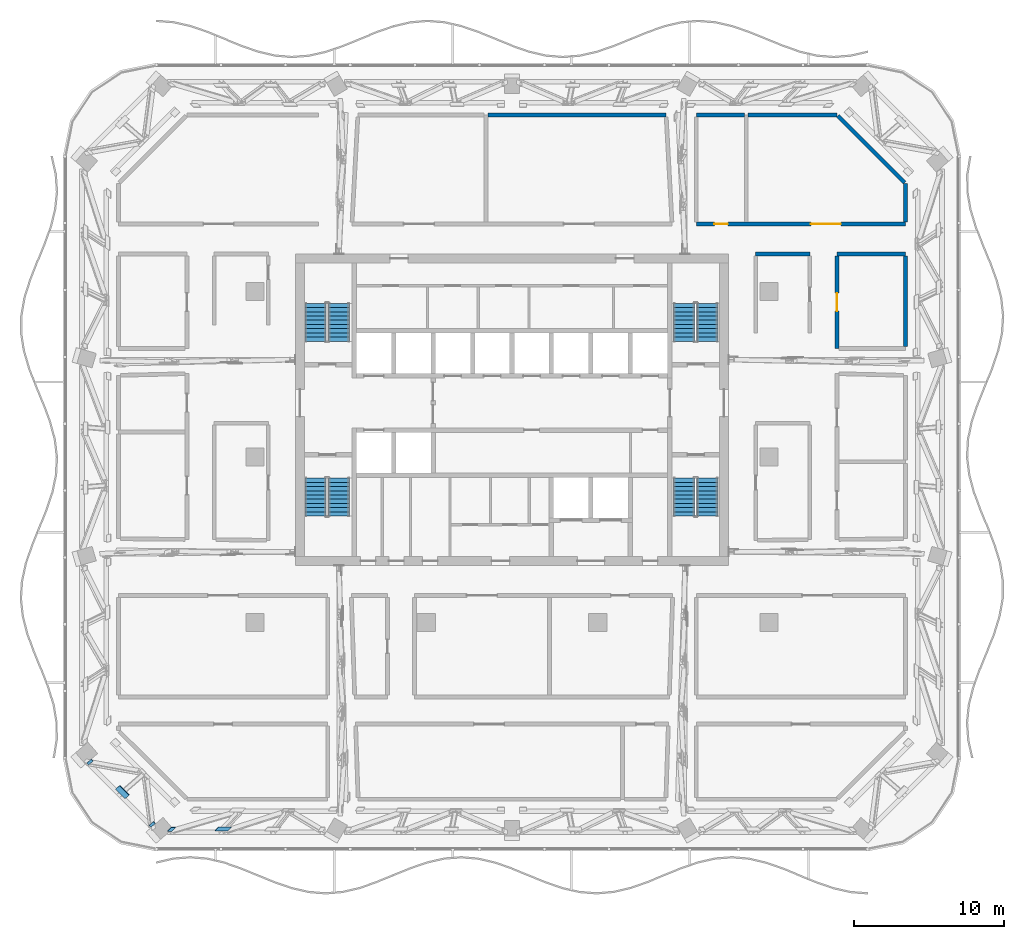
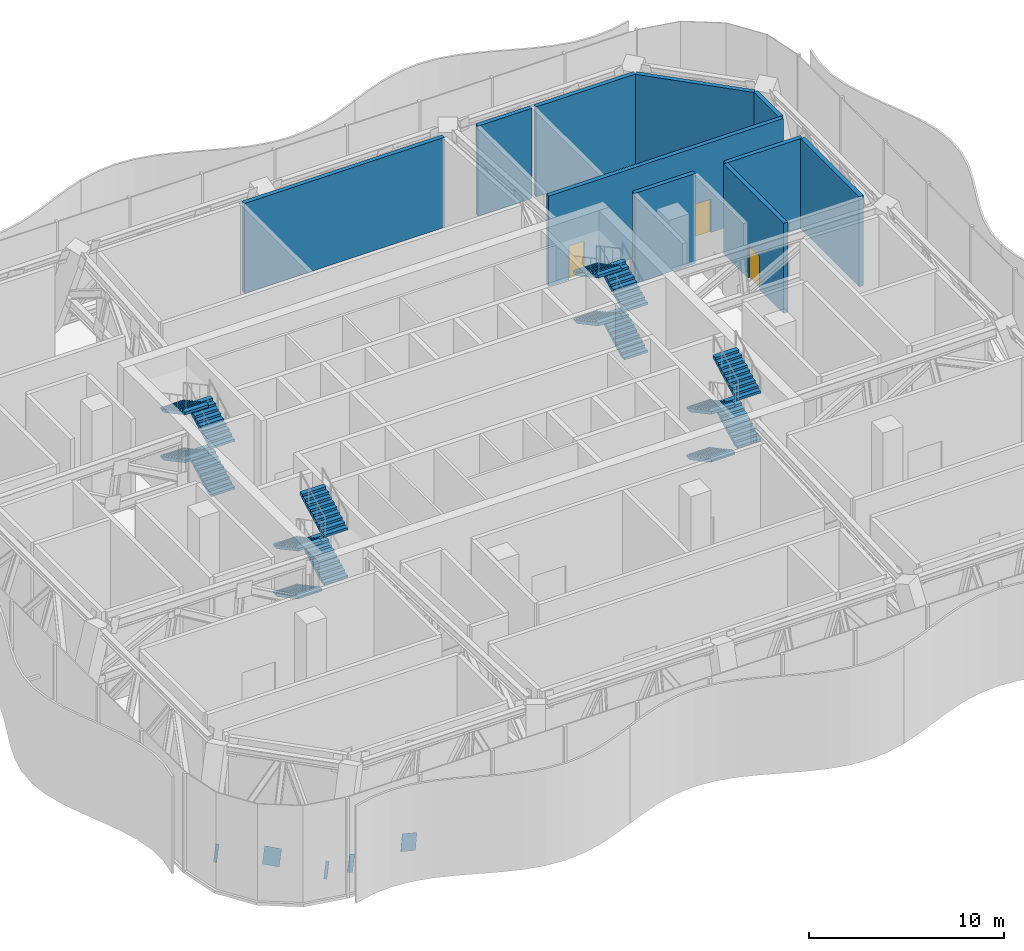
# One storey, part 14 of 29: 16 stair flights, 10 walls, 5 discrete accessories, 3 doors, 3 openings, 4 elements without a shape of their own.
"""IFC4 building model written with IfcOpenShell, lengths in metres."""

from ifc_helpers import new_model, si_unit, direction, frame, frame_2d, origin, origin_2d, place, context, subcontext, project, spatial, polyline, rectangle, outline, extrude, material, layer, layer_set, type_object, element, fill, aggregate, save


model = new_model("IFC4")

# Units and contexts
model_context = context("Model", 3, precision=1e-05, world=origin(), true_north=direction((0.0, 1.0)))
body_context = subcontext(model_context, "Body", "Model", "MODEL_VIEW")
ifc_project = project(units=[si_unit("LENGTHUNIT", "METRE"), si_unit("AREAUNIT", "SQUARE_METRE"), si_unit("VOLUMEUNIT", "CUBIC_METRE"), si_unit("PLANEANGLEUNIT", "RADIAN"), si_unit("MASSUNIT", "GRAM", prefix="KILO")], contexts=[model_context])

# Site, building, storey
site_placement = place(None, origin())
site = spatial("IfcSite", under=ifc_project, at=site_placement, CompositionType="ELEMENT")
building_placement = place(site_placement, origin())
building = spatial("IfcBuilding", under=site, at=building_placement, Name="Mopane Tessera Tower", CompositionType="ELEMENT")
storey_placement = place(building_placement, frame((0.0, 0.0, 315.39990234375)))
storey = spatial("IfcBuildingStorey", under=building, at=storey_placement, Name="L69", CompositionType="ELEMENT", Elevation=315.39990234375)

# Walls
ifc_material_1 = material(Name="Plastered concrete blockwork C20/25", Category="masonry")
ifc_layer_1 = layer(ifc_material_1, 0.25)
ifc_layer_set_1 = layer_set([ifc_layer_1], Name="Plastered concrete blockwork C20/25")
wall_type = type_object("IfcWallType", Name="Plastered blockwork wall 250, rated EI 120", PredefinedType="PARTITIONING", material=ifc_layer_set_1)
wall_1_placement = place(storey_placement, frame((16.199951171875, 13.5, 0.0), z_axis=(0.0, 0.0, 1.0), x_axis=(1.0, 0.0, 0.0)))
element("IfcWall", 1, at=wall_1_placement, inside=storey, type_object=wall_type, Name="Partition L69:023", PredefinedType="PARTITIONING", context=body_context, shape_type="SweptSolid", body=[
    extrude(rectangle(XDim=3.60009765625, YDim=0.25, at=frame_2d((1.800048828125, 0.0))), origin(), (0.0, 0.0, 1.0), 5.650146484375),
])
wall_2_placement = place(storey_placement, frame((21.60009765625, 13.5, 0.0), z_axis=(0.0, 0.0, 1.0), x_axis=(1.0, 0.0, 0.0)))
element("IfcWall", 2, at=wall_2_placement, inside=storey, type_object=wall_type, Name="Partition L69:024", PredefinedType="PARTITIONING", context=body_context, shape_type="SweptSolid", body=[
    extrude(rectangle(XDim=4.559814453125, YDim=0.25, at=frame_2d((2.27978515625, 0.0))), origin(), (0.0, 0.0, 1.0), 5.650146484375),
])

# Wall, openings, doors
wall_3_placement = place(storey_placement, frame((12.25, 15.5, 0.0), z_axis=(0.0, 0.0, 1.0), x_axis=(1.0, 0.0, 0.0)))
wall_3 = element("IfcWall", 3, at=wall_3_placement, inside=storey, type_object=wall_type, Name="Partition L69:027", PredefinedType="PARTITIONING", context=body_context, shape_type="SweptSolid", body=[
    extrude(rectangle(XDim=13.909912109375, YDim=0.25, at=frame_2d((6.955078125, 0.0))), origin(), (0.0, 0.0, 1.0), 5.650146484375),
])
opening_1_placement = place(wall_3_placement, frame((7.612548828125, 0.0, 0.0)))
opening_1 = element("IfcOpeningElement", 4, at=opening_1_placement, cuts=wall_3, Name="Opening L69-20", PredefinedType="OPENING", context=body_context, shape_type="SweptSolid", body=[
    extrude(rectangle(XDim=2.0, YDim=2.10009765625, at=frame_2d((1.0, 1.050048828125))), frame((0.0, 0.136962890625, 0.0), z_axis=(0.0, -1.0, 0.0), x_axis=(1.0, 0.0, 0.0)), (0.0, 0.0, 1.0), 0.27392578125),
])
opening_2_placement = place(wall_3_placement, frame((1.20751953125, 0.0, 0.0)))
opening_2 = element("IfcOpeningElement", 5, at=opening_2_placement, cuts=wall_3, Name="Opening L69-22", PredefinedType="OPENING", context=body_context, shape_type="SweptSolid", body=[
    extrude(rectangle(XDim=0.89990234375, YDim=2.10009765625, at=frame_2d((0.449951171875, 1.050048828125))), frame((0.0, 0.136962890625, 0.0), z_axis=(0.0, -1.0, 0.0), x_axis=(1.0, 0.0, 0.0)), (0.0, 0.0, 1.0), 0.27392578125),
])
ifc_material_2 = material(Name="Timber veneered steel-framed fire door", Category="steel")
door_type_1 = type_object("IfcDoorType", Name="Fire door FD120 900 x 2100", OperationType="SINGLE_SWING_LEFT", PredefinedType="DOOR", material=ifc_material_2)
door_1_placement = place(opening_2_placement, origin())
door_1 = element("IfcDoor", 6, at=door_1_placement, inside=storey, type_object=door_type_1, Name="Door L69-22", ObjectType="D10B", OperationType="SINGLE_SWING_RIGHT", OverallHeight=2.10009765625, OverallWidth=0.89990234375, PredefinedType="DOOR", context=body_context, shape_type="SweptSolid", body=[
    extrude(rectangle(XDim=0.89990234375, YDim=2.10009765625, at=frame_2d((0.449951171875, 1.050048828125))), frame((0.0, 0.02490234375, 0.0), z_axis=(0.0, -1.0, 0.0), x_axis=(1.0, 0.0, 0.0)), (0.0, 0.0, 1.0), 0.050048828125),
])
fill(opening_2, door_1)
ifc_material_3 = material(Name="Timber veneered steel-framed fire door", Category="steel")
door_type_2 = type_object("IfcDoorType", Name="Fire door pair FD120 2000 x 2100", OperationType="DOUBLE_DOOR_SINGLE_SWING", PredefinedType="DOOR", material=ifc_material_3)
door_2_placement = place(opening_1_placement, origin())
door_2 = element("IfcDoor", 7, at=door_2_placement, inside=storey, type_object=door_type_2, Name="Door L69-20", ObjectType="D25B", OperationType="DOUBLE_DOOR_SINGLE_SWING", OverallHeight=2.10009765625, OverallWidth=2.0, PredefinedType="DOOR", context=body_context, shape_type="SweptSolid", body=[
    extrude(rectangle(XDim=2.0, YDim=2.10009765625, at=frame_2d((1.0, 1.050048828125))), frame((0.0, 0.02490234375, 0.0), z_axis=(0.0, -1.0, 0.0), x_axis=(1.0, 0.0, 0.0)), (0.0, 0.0, 1.0), 0.050048828125),
])
fill(opening_1, door_2)

# Walls
wall_4_placement = place(storey_placement, frame((-1.60498046875, 22.7451171875, 0.0), z_axis=(0.0, 0.0, 1.0), x_axis=(1.0, 0.0, 0.0)))
element("IfcWall", 8, at=wall_4_placement, inside=storey, type_object=wall_type, Name="Partition L69:030", PredefinedType="PARTITIONING", context=body_context, shape_type="SweptSolid", body=[
    extrude(rectangle(XDim=11.85009765625, YDim=0.25, at=frame_2d((5.925048828125, 0.0))), origin(), (0.0, 0.0, 1.0), 5.650146484375),
])
wall_5_placement = place(storey_placement, frame((12.25, 22.7451171875, 0.0), z_axis=(0.0, 0.0, 1.0), x_axis=(1.0, 0.0, 0.0)))
element("IfcWall", 9, at=wall_5_placement, inside=storey, type_object=wall_type, Name="Partition L69:031", PredefinedType="PARTITIONING", context=body_context, shape_type="SweptSolid", body=[
    extrude(rectangle(XDim=3.18994140625, YDim=0.25, at=frame_2d((1.594970703125, 0.0))), origin(), (0.0, 0.0, 1.0), 5.650146484375),
])
wall_6_placement = place(storey_placement, frame((15.68994140625, 22.7451171875, 0.0), z_axis=(0.0, 0.0, 1.0), x_axis=(1.0, 0.0, 0.0)))
element("IfcWall", 10, at=wall_6_placement, inside=storey, type_object=wall_type, Name="Partition L69:032", PredefinedType="PARTITIONING", context=body_context, shape_type="SweptSolid", body=[
    extrude(rectangle(XDim=5.905029296875, YDim=0.25, at=frame_2d((2.95263671875, 0.0))), origin(), (0.0, 0.0, 1.0), 5.650146484375),
])

# Wall, opening, door
wall_7_placement = place(storey_placement, frame((21.60009765625, 7.22998046875, 0.0), z_axis=(0.0, 0.0, 1.0), x_axis=(0.0, 1.0, 0.0)))
wall_7 = element("IfcWall", 11, at=wall_7_placement, inside=storey, type_object=wall_type, Name="Partition L69:061", PredefinedType="PARTITIONING", context=body_context, shape_type="SweptSolid", body=[
    extrude(rectangle(XDim=6.14501953125, YDim=0.25, at=frame_2d((3.072509765625, 0.0))), origin(), (0.0, 0.0, 1.0), 5.650146484375),
])
opening_3_placement = place(wall_7_placement, frame((2.472412109375, 0.0, 0.0)))
opening_3 = element("IfcOpeningElement", 12, at=opening_3_placement, cuts=wall_7, Name="Opening L69-07", PredefinedType="OPENING", context=body_context, shape_type="SweptSolid", body=[
    extrude(rectangle(XDim=1.199951171875, YDim=2.10009765625, at=frame_2d((0.60009765625, 1.050048828125))), frame((0.0, 0.136962890625, 0.0), z_axis=(0.0, -1.0, 0.0), x_axis=(1.0, 0.0, 0.0)), (0.0, 0.0, 1.0), 0.27392578125),
])
ifc_material_4 = material(Name="Timber veneered steel-framed fire door", Category="steel")
door_type_3 = type_object("IfcDoorType", Name="Fire door FD120 1200 x 2100", OperationType="SINGLE_SWING_LEFT", PredefinedType="DOOR", material=ifc_material_4)
door_3_placement = place(opening_3_placement, origin())
door_3 = element("IfcDoor", 13, at=door_3_placement, inside=storey, type_object=door_type_3, Name="Door L69-07", ObjectType="D15B", OperationType="SINGLE_SWING_RIGHT", OverallHeight=2.10009765625, OverallWidth=1.199951171875, PredefinedType="DOOR", context=body_context, shape_type="SweptSolid", body=[
    extrude(rectangle(XDim=1.199951171875, YDim=2.10009765625, at=frame_2d((0.60009765625, 1.050048828125))), frame((0.0, 0.02490234375, 0.0), z_axis=(0.0, -1.0, 0.0), x_axis=(1.0, 0.0, 0.0)), (0.0, 0.0, 1.0), 0.050048828125),
])
fill(opening_3, door_3)

# Walls
wall_8_placement = place(storey_placement, frame((26.159912109375, 7.35498046875, 0.0), z_axis=(0.0, 0.0, 1.0), x_axis=(0.0, 1.0, 0.0)))
element("IfcWall", 14, at=wall_8_placement, inside=storey, type_object=wall_type, Name="Partition L69:066", PredefinedType="PARTITIONING", context=body_context, shape_type="SweptSolid", body=[
    extrude(rectangle(XDim=6.02001953125, YDim=0.25, at=frame_2d((3.010009765625, 0.0))), origin(), (0.0, 0.0, 1.0), 5.650146484375),
])
wall_9_placement = place(storey_placement, frame((26.159912109375, 15.625, 0.0), z_axis=(0.0, 0.0, 1.0), x_axis=(0.0, 1.0, 0.0)))
element("IfcWall", 15, at=wall_9_placement, inside=storey, type_object=wall_type, Name="Partition L69:067", PredefinedType="PARTITIONING", context=body_context, shape_type="SweptSolid", body=[
    extrude(rectangle(XDim=2.56005859375, YDim=0.25, at=frame_2d((1.280029296875, 0.0))), origin(), (0.0, 0.0, 1.0), 5.650146484375),
])
wall_10_placement = place(storey_placement, frame((21.652099609375, 22.68798828125, 0.0), z_axis=(0.0, 0.0, 1.0), x_axis=(0.707494747071, -0.706718602321, 0.0)))
element("IfcWall", 16, at=wall_10_placement, inside=storey, type_object=wall_type, Name="Partition L69:082", PredefinedType="PARTITIONING", context=body_context, shape_type="SweptSolid", body=[
    extrude(rectangle(XDim=6.291015625, YDim=0.25, at=frame_2d((3.1455078125, 0.0))), origin(), (0.0, 0.0, 1.0), 5.650146484375),
])

# Stair, stair flights
ifc_material_5 = material(Name="Concrete C50/60", Category="concrete")
stair_type = type_object("IfcStairType", Name="Escape stair 1400 mm, riser 150 mm", PredefinedType="HALF_TURN_STAIR", material=ifc_material_5)
stair_1_placement = place(storey_placement, origin())
stair_1 = element("IfcStair", 17, at=stair_1_placement, inside=storey, type_object=stair_type, Name="L69 Escape stair south-west", PredefinedType="HALF_TURN_STAIR")
ifc_material_6 = material(Name="Concrete C50/60", Category="concrete")
stair_flight_type = type_object("IfcStairFlightType", Name="Escape stair flight 1400 mm", PredefinedType="STRAIGHT", material=ifc_material_6)
stair_flight_1_placement = place(storey_placement, frame((-13.050048828125, -1.39990234375, 0.0), z_axis=(0.0, 0.0, 1.0), x_axis=(0.0, -1.0, 0.0)))
stair_flight_1 = element("IfcStairFlight", 18, at=stair_flight_1_placement, type_object=stair_flight_type, Name="ST1 flight 1", NumberOfRisers=10, NumberOfTreads=9, PredefinedType="STRAIGHT", RiserHeight=0.15, TreadLength=0.28, context=body_context, shape_type="SweptSolid", body=[
    extrude(outline(polyline([(0.0, 0.0), (0.0, 0.14990234375), (0.280029296875, 0.14990234375), (0.280029296875, 0.300048828125), (0.56005859375, 0.300048828125), (0.56005859375, 0.449951171875), (0.840087890625, 0.449951171875), (0.840087890625, 0.60009765625), (1.1201171875, 0.60009765625), (1.1201171875, 0.75), (1.39990234375, 0.75), (1.39990234375, 0.89990234375), (1.679931640625, 0.89990234375), (1.679931640625, 1.050048828125), (1.9599609375, 1.050048828125), (1.9599609375, 1.199951171875), (2.239990234375, 1.199951171875), (2.239990234375, 1.35009765625), (2.52001953125, 1.35009765625), (2.52001953125, 1.5), (2.52001953125, 1.179931640625), (0.3173828125, 0.0), (0.0, 0.0)])), frame((0.0, 0.699951171875, 0.0), z_axis=(0.0, -1.0, 0.0), x_axis=(1.0, 0.0, 0.0)), (0.0, 0.0, 1.0), 1.39990234375),
])
stair_flight_2_placement = place(storey_placement, frame((-11.5, -3.919921875, 1.5), z_axis=(0.0, 0.0, 1.0), x_axis=(0.0, 1.0, 0.0)))
stair_flight_2 = element("IfcStairFlight", 19, at=stair_flight_2_placement, type_object=stair_flight_type, Name="ST1 flight 2", NumberOfRisers=10, NumberOfTreads=9, PredefinedType="STRAIGHT", RiserHeight=0.15, TreadLength=0.28, context=body_context, shape_type="SweptSolid", body=[
    extrude(outline(polyline([(0.0, 0.0), (0.0, 0.14990234375), (0.280029296875, 0.14990234375), (0.280029296875, 0.300048828125), (0.56005859375, 0.300048828125), (0.56005859375, 0.449951171875), (0.840087890625, 0.449951171875), (0.840087890625, 0.60009765625), (1.1201171875, 0.60009765625), (1.1201171875, 0.75), (1.39990234375, 0.75), (1.39990234375, 0.89990234375), (1.679931640625, 0.89990234375), (1.679931640625, 1.050048828125), (1.9599609375, 1.050048828125), (1.9599609375, 1.199951171875), (2.239990234375, 1.199951171875), (2.239990234375, 1.35009765625), (2.52001953125, 1.35009765625), (2.52001953125, 1.5), (2.52001953125, 1.179931640625), (0.3173828125, 0.0), (0.0, 0.0)])), frame((0.0, 0.699951171875, 0.0), z_axis=(0.0, -1.0, 0.0), x_axis=(1.0, 0.0, 0.0)), (0.0, 0.0, 1.0), 1.39990234375),
])
stair_flight_3_placement = place(storey_placement, frame((-13.050048828125, -1.39990234375, 3.0), z_axis=(0.0, 0.0, 1.0), x_axis=(0.0, -1.0, 0.0)))
stair_flight_3 = element("IfcStairFlight", 20, at=stair_flight_3_placement, type_object=stair_flight_type, Name="ST1 flight 3", NumberOfRisers=10, NumberOfTreads=9, PredefinedType="STRAIGHT", RiserHeight=0.15, TreadLength=0.28, context=body_context, shape_type="SweptSolid", body=[
    extrude(outline(polyline([(0.0, 0.0), (0.0, 0.14990234375), (0.280029296875, 0.14990234375), (0.280029296875, 0.300048828125), (0.56005859375, 0.300048828125), (0.56005859375, 0.449951171875), (0.840087890625, 0.449951171875), (0.840087890625, 0.60009765625), (1.1201171875, 0.60009765625), (1.1201171875, 0.75), (1.39990234375, 0.75), (1.39990234375, 0.89990234375), (1.679931640625, 0.89990234375), (1.679931640625, 1.050048828125), (1.9599609375, 1.050048828125), (1.9599609375, 1.199951171875), (2.239990234375, 1.199951171875), (2.239990234375, 1.35009765625), (2.52001953125, 1.35009765625), (2.52001953125, 1.5), (2.52001953125, 1.179931640625), (0.3173828125, 0.0), (0.0, 0.0)])), frame((0.0, 0.699951171875, 0.0), z_axis=(0.0, -1.0, 0.0), x_axis=(1.0, 0.0, 0.0)), (0.0, 0.0, 1.0), 1.39990234375),
])
stair_flight_4_placement = place(storey_placement, frame((-11.5, -3.919921875, 4.5), z_axis=(0.0, 0.0, 1.0), x_axis=(0.0, 1.0, 0.0)))
stair_flight_4 = element("IfcStairFlight", 21, at=stair_flight_4_placement, type_object=stair_flight_type, Name="ST1 flight 4", NumberOfRisers=10, NumberOfTreads=9, PredefinedType="STRAIGHT", RiserHeight=0.15, TreadLength=0.28, context=body_context, shape_type="SweptSolid", body=[
    extrude(outline(polyline([(0.0, 0.0), (0.0, 0.14990234375), (0.280029296875, 0.14990234375), (0.280029296875, 0.300048828125), (0.56005859375, 0.300048828125), (0.56005859375, 0.449951171875), (0.840087890625, 0.449951171875), (0.840087890625, 0.60009765625), (1.1201171875, 0.60009765625), (1.1201171875, 0.75), (1.39990234375, 0.75), (1.39990234375, 0.89990234375), (1.679931640625, 0.89990234375), (1.679931640625, 1.050048828125), (1.9599609375, 1.050048828125), (1.9599609375, 1.199951171875), (2.239990234375, 1.199951171875), (2.239990234375, 1.35009765625), (2.52001953125, 1.35009765625), (2.52001953125, 1.5), (2.52001953125, 1.179931640625), (0.3173828125, 0.0), (0.0, 0.0)])), frame((0.0, 0.699951171875, 0.0), z_axis=(0.0, -1.0, 0.0), x_axis=(1.0, 0.0, 0.0)), (0.0, 0.0, 1.0), 1.39990234375),
])
aggregate(stair_1, [stair_flight_1, stair_flight_2, stair_flight_3, stair_flight_4])

stair_2_placement = place(storey_placement, origin())
stair_2 = element("IfcStair", 22, at=stair_2_placement, inside=storey, type_object=stair_type, Name="L69 Escape stair north-west", PredefinedType="HALF_TURN_STAIR")
stair_flight_5_placement = place(storey_placement, frame((-11.5, 7.699951171875, 0.0), z_axis=(0.0, 0.0, 1.0), x_axis=(0.0, 1.0, 0.0)))
stair_flight_5 = element("IfcStairFlight", 23, at=stair_flight_5_placement, type_object=stair_flight_type, Name="ST2 flight 1", NumberOfRisers=10, NumberOfTreads=9, PredefinedType="STRAIGHT", RiserHeight=0.15, TreadLength=0.28, context=body_context, shape_type="SweptSolid", body=[
    extrude(outline(polyline([(0.0, 0.0), (0.0, 0.14990234375), (0.280029296875, 0.14990234375), (0.280029296875, 0.300048828125), (0.56005859375, 0.300048828125), (0.56005859375, 0.449951171875), (0.840087890625, 0.449951171875), (0.840087890625, 0.60009765625), (1.1201171875, 0.60009765625), (1.1201171875, 0.75), (1.39990234375, 0.75), (1.39990234375, 0.89990234375), (1.679931640625, 0.89990234375), (1.679931640625, 1.050048828125), (1.9599609375, 1.050048828125), (1.9599609375, 1.199951171875), (2.239990234375, 1.199951171875), (2.239990234375, 1.35009765625), (2.52001953125, 1.35009765625), (2.52001953125, 1.5), (2.52001953125, 1.179931640625), (0.3173828125, 0.0), (0.0, 0.0)])), frame((0.0, 0.699951171875, 0.0), z_axis=(0.0, -1.0, 0.0), x_axis=(1.0, 0.0, 0.0)), (0.0, 0.0, 1.0), 1.39990234375),
])
stair_flight_6_placement = place(storey_placement, frame((-13.050048828125, 10.219970703125, 1.5), z_axis=(0.0, 0.0, 1.0), x_axis=(0.0, -1.0, 0.0)))
stair_flight_6 = element("IfcStairFlight", 24, at=stair_flight_6_placement, type_object=stair_flight_type, Name="ST2 flight 2", NumberOfRisers=10, NumberOfTreads=9, PredefinedType="STRAIGHT", RiserHeight=0.15, TreadLength=0.28, context=body_context, shape_type="SweptSolid", body=[
    extrude(outline(polyline([(0.0, 0.0), (0.0, 0.14990234375), (0.280029296875, 0.14990234375), (0.280029296875, 0.300048828125), (0.56005859375, 0.300048828125), (0.56005859375, 0.449951171875), (0.840087890625, 0.449951171875), (0.840087890625, 0.60009765625), (1.1201171875, 0.60009765625), (1.1201171875, 0.75), (1.39990234375, 0.75), (1.39990234375, 0.89990234375), (1.679931640625, 0.89990234375), (1.679931640625, 1.050048828125), (1.9599609375, 1.050048828125), (1.9599609375, 1.199951171875), (2.239990234375, 1.199951171875), (2.239990234375, 1.35009765625), (2.52001953125, 1.35009765625), (2.52001953125, 1.5), (2.52001953125, 1.179931640625), (0.3173828125, 0.0), (0.0, 0.0)])), frame((0.0, 0.699951171875, 0.0), z_axis=(0.0, -1.0, 0.0), x_axis=(1.0, 0.0, 0.0)), (0.0, 0.0, 1.0), 1.39990234375),
])
stair_flight_7_placement = place(storey_placement, frame((-11.5, 7.699951171875, 3.0), z_axis=(0.0, 0.0, 1.0), x_axis=(0.0, 1.0, 0.0)))
stair_flight_7 = element("IfcStairFlight", 25, at=stair_flight_7_placement, type_object=stair_flight_type, Name="ST2 flight 3", NumberOfRisers=10, NumberOfTreads=9, PredefinedType="STRAIGHT", RiserHeight=0.15, TreadLength=0.28, context=body_context, shape_type="SweptSolid", body=[
    extrude(outline(polyline([(0.0, 0.0), (0.0, 0.14990234375), (0.280029296875, 0.14990234375), (0.280029296875, 0.300048828125), (0.56005859375, 0.300048828125), (0.56005859375, 0.449951171875), (0.840087890625, 0.449951171875), (0.840087890625, 0.60009765625), (1.1201171875, 0.60009765625), (1.1201171875, 0.75), (1.39990234375, 0.75), (1.39990234375, 0.89990234375), (1.679931640625, 0.89990234375), (1.679931640625, 1.050048828125), (1.9599609375, 1.050048828125), (1.9599609375, 1.199951171875), (2.239990234375, 1.199951171875), (2.239990234375, 1.35009765625), (2.52001953125, 1.35009765625), (2.52001953125, 1.5), (2.52001953125, 1.179931640625), (0.3173828125, 0.0), (0.0, 0.0)])), frame((0.0, 0.699951171875, 0.0), z_axis=(0.0, -1.0, 0.0), x_axis=(1.0, 0.0, 0.0)), (0.0, 0.0, 1.0), 1.39990234375),
])
stair_flight_8_placement = place(storey_placement, frame((-13.050048828125, 10.219970703125, 4.5), z_axis=(0.0, 0.0, 1.0), x_axis=(0.0, -1.0, 0.0)))
stair_flight_8 = element("IfcStairFlight", 26, at=stair_flight_8_placement, type_object=stair_flight_type, Name="ST2 flight 4", NumberOfRisers=10, NumberOfTreads=9, PredefinedType="STRAIGHT", RiserHeight=0.15, TreadLength=0.28, context=body_context, shape_type="SweptSolid", body=[
    extrude(outline(polyline([(0.0, 0.0), (0.0, 0.14990234375), (0.280029296875, 0.14990234375), (0.280029296875, 0.300048828125), (0.56005859375, 0.300048828125), (0.56005859375, 0.449951171875), (0.840087890625, 0.449951171875), (0.840087890625, 0.60009765625), (1.1201171875, 0.60009765625), (1.1201171875, 0.75), (1.39990234375, 0.75), (1.39990234375, 0.89990234375), (1.679931640625, 0.89990234375), (1.679931640625, 1.050048828125), (1.9599609375, 1.050048828125), (1.9599609375, 1.199951171875), (2.239990234375, 1.199951171875), (2.239990234375, 1.35009765625), (2.52001953125, 1.35009765625), (2.52001953125, 1.5), (2.52001953125, 1.179931640625), (0.3173828125, 0.0), (0.0, 0.0)])), frame((0.0, 0.699951171875, 0.0), z_axis=(0.0, -1.0, 0.0), x_axis=(1.0, 0.0, 0.0)), (0.0, 0.0, 1.0), 1.39990234375),
])
aggregate(stair_2, [stair_flight_5, stair_flight_6, stair_flight_7, stair_flight_8])

stair_3_placement = place(storey_placement, origin())
stair_3 = element("IfcStair", 27, at=stair_3_placement, inside=storey, type_object=stair_type, Name="L69 Escape stair south-east", PredefinedType="HALF_TURN_STAIR")
stair_flight_9_placement = place(storey_placement, frame((11.449951171875, -1.39990234375, 0.0), z_axis=(0.0, 0.0, 1.0), x_axis=(0.0, -1.0, 0.0)))
stair_flight_9 = element("IfcStairFlight", 28, at=stair_flight_9_placement, type_object=stair_flight_type, Name="ST3 flight 1", NumberOfRisers=10, NumberOfTreads=9, PredefinedType="STRAIGHT", RiserHeight=0.15, TreadLength=0.28, context=body_context, shape_type="SweptSolid", body=[
    extrude(outline(polyline([(0.0, 0.0), (0.0, 0.14990234375), (0.280029296875, 0.14990234375), (0.280029296875, 0.300048828125), (0.56005859375, 0.300048828125), (0.56005859375, 0.449951171875), (0.840087890625, 0.449951171875), (0.840087890625, 0.60009765625), (1.1201171875, 0.60009765625), (1.1201171875, 0.75), (1.39990234375, 0.75), (1.39990234375, 0.89990234375), (1.679931640625, 0.89990234375), (1.679931640625, 1.050048828125), (1.9599609375, 1.050048828125), (1.9599609375, 1.199951171875), (2.239990234375, 1.199951171875), (2.239990234375, 1.35009765625), (2.52001953125, 1.35009765625), (2.52001953125, 1.5), (2.52001953125, 1.179931640625), (0.3173828125, 0.0), (0.0, 0.0)])), frame((0.0, 0.699951171875, 0.0), z_axis=(0.0, -1.0, 0.0), x_axis=(1.0, 0.0, 0.0)), (0.0, 0.0, 1.0), 1.39990234375),
])
stair_flight_10_placement = place(storey_placement, frame((13.0, -3.919921875, 1.5), z_axis=(0.0, 0.0, 1.0), x_axis=(0.0, 1.0, 0.0)))
stair_flight_10 = element("IfcStairFlight", 29, at=stair_flight_10_placement, type_object=stair_flight_type, Name="ST3 flight 2", NumberOfRisers=10, NumberOfTreads=9, PredefinedType="STRAIGHT", RiserHeight=0.15, TreadLength=0.28, context=body_context, shape_type="SweptSolid", body=[
    extrude(outline(polyline([(0.0, 0.0), (0.0, 0.14990234375), (0.280029296875, 0.14990234375), (0.280029296875, 0.300048828125), (0.56005859375, 0.300048828125), (0.56005859375, 0.449951171875), (0.840087890625, 0.449951171875), (0.840087890625, 0.60009765625), (1.1201171875, 0.60009765625), (1.1201171875, 0.75), (1.39990234375, 0.75), (1.39990234375, 0.89990234375), (1.679931640625, 0.89990234375), (1.679931640625, 1.050048828125), (1.9599609375, 1.050048828125), (1.9599609375, 1.199951171875), (2.239990234375, 1.199951171875), (2.239990234375, 1.35009765625), (2.52001953125, 1.35009765625), (2.52001953125, 1.5), (2.52001953125, 1.179931640625), (0.3173828125, 0.0), (0.0, 0.0)])), frame((0.0, 0.699951171875, 0.0), z_axis=(0.0, -1.0, 0.0), x_axis=(1.0, 0.0, 0.0)), (0.0, 0.0, 1.0), 1.39990234375),
])
stair_flight_11_placement = place(storey_placement, frame((11.449951171875, -1.39990234375, 3.0), z_axis=(0.0, 0.0, 1.0), x_axis=(0.0, -1.0, 0.0)))
stair_flight_11 = element("IfcStairFlight", 30, at=stair_flight_11_placement, type_object=stair_flight_type, Name="ST3 flight 3", NumberOfRisers=10, NumberOfTreads=9, PredefinedType="STRAIGHT", RiserHeight=0.15, TreadLength=0.28, context=body_context, shape_type="SweptSolid", body=[
    extrude(outline(polyline([(0.0, 0.0), (0.0, 0.14990234375), (0.280029296875, 0.14990234375), (0.280029296875, 0.300048828125), (0.56005859375, 0.300048828125), (0.56005859375, 0.449951171875), (0.840087890625, 0.449951171875), (0.840087890625, 0.60009765625), (1.1201171875, 0.60009765625), (1.1201171875, 0.75), (1.39990234375, 0.75), (1.39990234375, 0.89990234375), (1.679931640625, 0.89990234375), (1.679931640625, 1.050048828125), (1.9599609375, 1.050048828125), (1.9599609375, 1.199951171875), (2.239990234375, 1.199951171875), (2.239990234375, 1.35009765625), (2.52001953125, 1.35009765625), (2.52001953125, 1.5), (2.52001953125, 1.179931640625), (0.3173828125, 0.0), (0.0, 0.0)])), frame((0.0, 0.699951171875, 0.0), z_axis=(0.0, -1.0, 0.0), x_axis=(1.0, 0.0, 0.0)), (0.0, 0.0, 1.0), 1.39990234375),
])
stair_flight_12_placement = place(storey_placement, frame((13.0, -3.919921875, 4.5), z_axis=(0.0, 0.0, 1.0), x_axis=(0.0, 1.0, 0.0)))
stair_flight_12 = element("IfcStairFlight", 31, at=stair_flight_12_placement, type_object=stair_flight_type, Name="ST3 flight 4", NumberOfRisers=10, NumberOfTreads=9, PredefinedType="STRAIGHT", RiserHeight=0.15, TreadLength=0.28, context=body_context, shape_type="SweptSolid", body=[
    extrude(outline(polyline([(0.0, 0.0), (0.0, 0.14990234375), (0.280029296875, 0.14990234375), (0.280029296875, 0.300048828125), (0.56005859375, 0.300048828125), (0.56005859375, 0.449951171875), (0.840087890625, 0.449951171875), (0.840087890625, 0.60009765625), (1.1201171875, 0.60009765625), (1.1201171875, 0.75), (1.39990234375, 0.75), (1.39990234375, 0.89990234375), (1.679931640625, 0.89990234375), (1.679931640625, 1.050048828125), (1.9599609375, 1.050048828125), (1.9599609375, 1.199951171875), (2.239990234375, 1.199951171875), (2.239990234375, 1.35009765625), (2.52001953125, 1.35009765625), (2.52001953125, 1.5), (2.52001953125, 1.179931640625), (0.3173828125, 0.0), (0.0, 0.0)])), frame((0.0, 0.699951171875, 0.0), z_axis=(0.0, -1.0, 0.0), x_axis=(1.0, 0.0, 0.0)), (0.0, 0.0, 1.0), 1.39990234375),
])
aggregate(stair_3, [stair_flight_9, stair_flight_10, stair_flight_11, stair_flight_12])

stair_4_placement = place(storey_placement, origin())
stair_4 = element("IfcStair", 32, at=stair_4_placement, inside=storey, type_object=stair_type, Name="L69 Escape stair north-east", PredefinedType="HALF_TURN_STAIR")
stair_flight_13_placement = place(storey_placement, frame((13.0, 7.699951171875, 0.0), z_axis=(0.0, 0.0, 1.0), x_axis=(0.0, 1.0, 0.0)))
stair_flight_13 = element("IfcStairFlight", 33, at=stair_flight_13_placement, type_object=stair_flight_type, Name="ST4 flight 1", NumberOfRisers=10, NumberOfTreads=9, PredefinedType="STRAIGHT", RiserHeight=0.15, TreadLength=0.28, context=body_context, shape_type="SweptSolid", body=[
    extrude(outline(polyline([(0.0, 0.0), (0.0, 0.14990234375), (0.280029296875, 0.14990234375), (0.280029296875, 0.300048828125), (0.56005859375, 0.300048828125), (0.56005859375, 0.449951171875), (0.840087890625, 0.449951171875), (0.840087890625, 0.60009765625), (1.1201171875, 0.60009765625), (1.1201171875, 0.75), (1.39990234375, 0.75), (1.39990234375, 0.89990234375), (1.679931640625, 0.89990234375), (1.679931640625, 1.050048828125), (1.9599609375, 1.050048828125), (1.9599609375, 1.199951171875), (2.239990234375, 1.199951171875), (2.239990234375, 1.35009765625), (2.52001953125, 1.35009765625), (2.52001953125, 1.5), (2.52001953125, 1.179931640625), (0.3173828125, 0.0), (0.0, 0.0)])), frame((0.0, 0.699951171875, 0.0), z_axis=(0.0, -1.0, 0.0), x_axis=(1.0, 0.0, 0.0)), (0.0, 0.0, 1.0), 1.39990234375),
])
stair_flight_14_placement = place(storey_placement, frame((11.449951171875, 10.219970703125, 1.5), z_axis=(0.0, 0.0, 1.0), x_axis=(0.0, -1.0, 0.0)))
stair_flight_14 = element("IfcStairFlight", 34, at=stair_flight_14_placement, type_object=stair_flight_type, Name="ST4 flight 2", NumberOfRisers=10, NumberOfTreads=9, PredefinedType="STRAIGHT", RiserHeight=0.15, TreadLength=0.28, context=body_context, shape_type="SweptSolid", body=[
    extrude(outline(polyline([(0.0, 0.0), (0.0, 0.14990234375), (0.280029296875, 0.14990234375), (0.280029296875, 0.300048828125), (0.56005859375, 0.300048828125), (0.56005859375, 0.449951171875), (0.840087890625, 0.449951171875), (0.840087890625, 0.60009765625), (1.1201171875, 0.60009765625), (1.1201171875, 0.75), (1.39990234375, 0.75), (1.39990234375, 0.89990234375), (1.679931640625, 0.89990234375), (1.679931640625, 1.050048828125), (1.9599609375, 1.050048828125), (1.9599609375, 1.199951171875), (2.239990234375, 1.199951171875), (2.239990234375, 1.35009765625), (2.52001953125, 1.35009765625), (2.52001953125, 1.5), (2.52001953125, 1.179931640625), (0.3173828125, 0.0), (0.0, 0.0)])), frame((0.0, 0.699951171875, 0.0), z_axis=(0.0, -1.0, 0.0), x_axis=(1.0, 0.0, 0.0)), (0.0, 0.0, 1.0), 1.39990234375),
])
stair_flight_15_placement = place(storey_placement, frame((13.0, 7.699951171875, 3.0), z_axis=(0.0, 0.0, 1.0), x_axis=(0.0, 1.0, 0.0)))
stair_flight_15 = element("IfcStairFlight", 35, at=stair_flight_15_placement, type_object=stair_flight_type, Name="ST4 flight 3", NumberOfRisers=10, NumberOfTreads=9, PredefinedType="STRAIGHT", RiserHeight=0.15, TreadLength=0.28, context=body_context, shape_type="SweptSolid", body=[
    extrude(outline(polyline([(0.0, 0.0), (0.0, 0.14990234375), (0.280029296875, 0.14990234375), (0.280029296875, 0.300048828125), (0.56005859375, 0.300048828125), (0.56005859375, 0.449951171875), (0.840087890625, 0.449951171875), (0.840087890625, 0.60009765625), (1.1201171875, 0.60009765625), (1.1201171875, 0.75), (1.39990234375, 0.75), (1.39990234375, 0.89990234375), (1.679931640625, 0.89990234375), (1.679931640625, 1.050048828125), (1.9599609375, 1.050048828125), (1.9599609375, 1.199951171875), (2.239990234375, 1.199951171875), (2.239990234375, 1.35009765625), (2.52001953125, 1.35009765625), (2.52001953125, 1.5), (2.52001953125, 1.179931640625), (0.3173828125, 0.0), (0.0, 0.0)])), frame((0.0, 0.699951171875, 0.0), z_axis=(0.0, -1.0, 0.0), x_axis=(1.0, 0.0, 0.0)), (0.0, 0.0, 1.0), 1.39990234375),
])
stair_flight_16_placement = place(storey_placement, frame((11.449951171875, 10.219970703125, 4.5), z_axis=(0.0, 0.0, 1.0), x_axis=(0.0, -1.0, 0.0)))
stair_flight_16 = element("IfcStairFlight", 36, at=stair_flight_16_placement, type_object=stair_flight_type, Name="ST4 flight 4", NumberOfRisers=10, NumberOfTreads=9, PredefinedType="STRAIGHT", RiserHeight=0.15, TreadLength=0.28, context=body_context, shape_type="SweptSolid", body=[
    extrude(outline(polyline([(0.0, 0.0), (0.0, 0.14990234375), (0.280029296875, 0.14990234375), (0.280029296875, 0.300048828125), (0.56005859375, 0.300048828125), (0.56005859375, 0.449951171875), (0.840087890625, 0.449951171875), (0.840087890625, 0.60009765625), (1.1201171875, 0.60009765625), (1.1201171875, 0.75), (1.39990234375, 0.75), (1.39990234375, 0.89990234375), (1.679931640625, 0.89990234375), (1.679931640625, 1.050048828125), (1.9599609375, 1.050048828125), (1.9599609375, 1.199951171875), (2.239990234375, 1.199951171875), (2.239990234375, 1.35009765625), (2.52001953125, 1.35009765625), (2.52001953125, 1.5), (2.52001953125, 1.179931640625), (0.3173828125, 0.0), (0.0, 0.0)])), frame((0.0, 0.699951171875, 0.0), z_axis=(0.0, -1.0, 0.0), x_axis=(1.0, 0.0, 0.0)), (0.0, 0.0, 1.0), 1.39990234375),
])
aggregate(stair_4, [stair_flight_13, stair_flight_14, stair_flight_15, stair_flight_16])

# Discrete accessories
ifc_material_7 = material(Name="Structural steel S460", Category="steel")
ifc_layer_2 = layer(ifc_material_7, 0.030029296875)
ifc_layer_set_2 = layer_set([ifc_layer_2], Name="Structural steel S460")
discrete_accessory_type = type_object("IfcDiscreteAccessoryType", Name="Truss node plate 30 mm", PredefinedType="BRACKET", material=ifc_layer_set_2)
discrete_accessory_1_placement = place(storey_placement, frame((-22.768310546875, -24.857177734375, -0.096435546875), z_axis=(0.275134362275, 0.247671316957, 0.928956404495), x_axis=(-0.070679810645, 0.968844051852, -0.237372213113)))
element("IfcDiscreteAccessory", 37, at=discrete_accessory_1_placement, inside=storey, type_object=discrete_accessory_type, Name="Truss node plate s bt L69 S0-S1 0", PredefinedType="BRACKET", context=body_context, shape_type="SweptSolid", body=[
    extrude(rectangle(XDim=0.030029296875, YDim=0.309326171875, at=origin_2d()), origin(), (0.0, 0.0, 1.0), 0.968994140625),
])
discrete_accessory_2_placement = place(storey_placement, frame((-19.3076171875, -24.828857421875, 0.009521484375), z_axis=(0.236311841113, 0.250317392041, 0.938881204941), x_axis=(-0.061067973363, 0.968163830319, -0.2427539913)))
element("IfcDiscreteAccessory", 38, at=discrete_accessory_2_placement, inside=storey, type_object=discrete_accessory_type, Name="Truss node plate s bt L69 S0-S1 3", PredefinedType="BRACKET", context=body_context, shape_type="SweptSolid", body=[
    extrude(rectangle(XDim=0.030029296875, YDim=0.89990234375, at=origin_2d()), origin(), (0.0, 0.0, 1.0), 0.958740234375),
])
discrete_accessory_3_placement = place(storey_placement, frame((-28.186279296875, -20.38232421875, -0.27294921875), z_axis=(0.285631026332, 0.246943974392, 0.925977100315), x_axis=(0.647377127261, 0.66272353463, -0.376431098274)))
element("IfcDiscreteAccessory", 39, at=discrete_accessory_3_placement, inside=storey, type_object=discrete_accessory_type, Name="Truss node plate s bt L69 W3-S0 0", PredefinedType="BRACKET", context=body_context, shape_type="SweptSolid", body=[
    extrude(rectangle(XDim=0.030029296875, YDim=0.1787109375, at=origin_2d()), origin(), (0.0, 0.0, 1.0), 0.971923828125),
])
discrete_accessory_4_placement = place(storey_placement, frame((-26.036376953125, -22.3857421875, -0.017822265625), z_axis=(0.285631026332, 0.246943974392, 0.925977100315), x_axis=(0.647377127261, 0.66272353463, -0.376431098274)))
element("IfcDiscreteAccessory", 40, at=discrete_accessory_4_placement, inside=storey, type_object=discrete_accessory_type, Name="Truss node plate s bt L69 W3-S0 3", PredefinedType="BRACKET", context=body_context, shape_type="SweptSolid", body=[
    extrude(rectangle(XDim=0.030029296875, YDim=0.89990234375, at=origin_2d()), origin(), (0.0, 0.0, 1.0), 0.971923828125),
])
discrete_accessory_5_placement = place(storey_placement, frame((-24.043701171875, -24.52490234375, -0.27294921875), z_axis=(0.285631026332, 0.246943974392, 0.925977100315), x_axis=(0.647377127261, 0.66272353463, -0.376431098274)))
element("IfcDiscreteAccessory", 41, at=discrete_accessory_5_placement, inside=storey, type_object=discrete_accessory_type, Name="Truss node plate s bt L69 W3-S0 5", PredefinedType="BRACKET", context=body_context, shape_type="SweptSolid", body=[
    extrude(rectangle(XDim=0.030029296875, YDim=0.1787109375, at=origin_2d()), origin(), (0.0, 0.0, 1.0), 0.971923828125),
])

save(model, "model.ifc")
